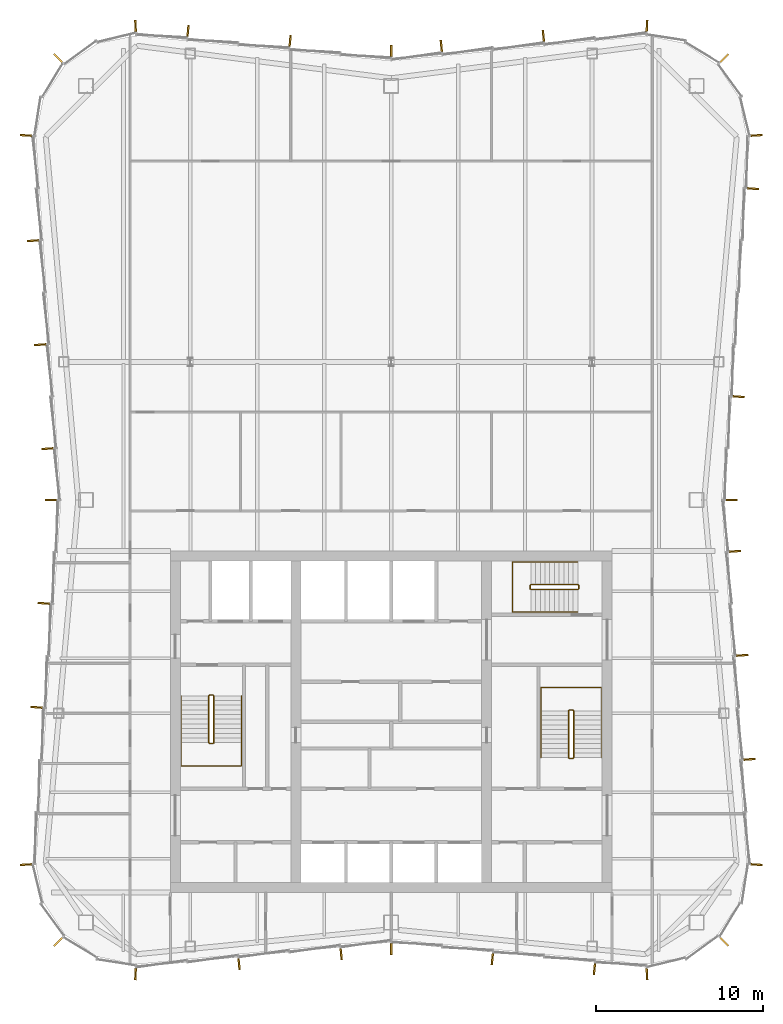
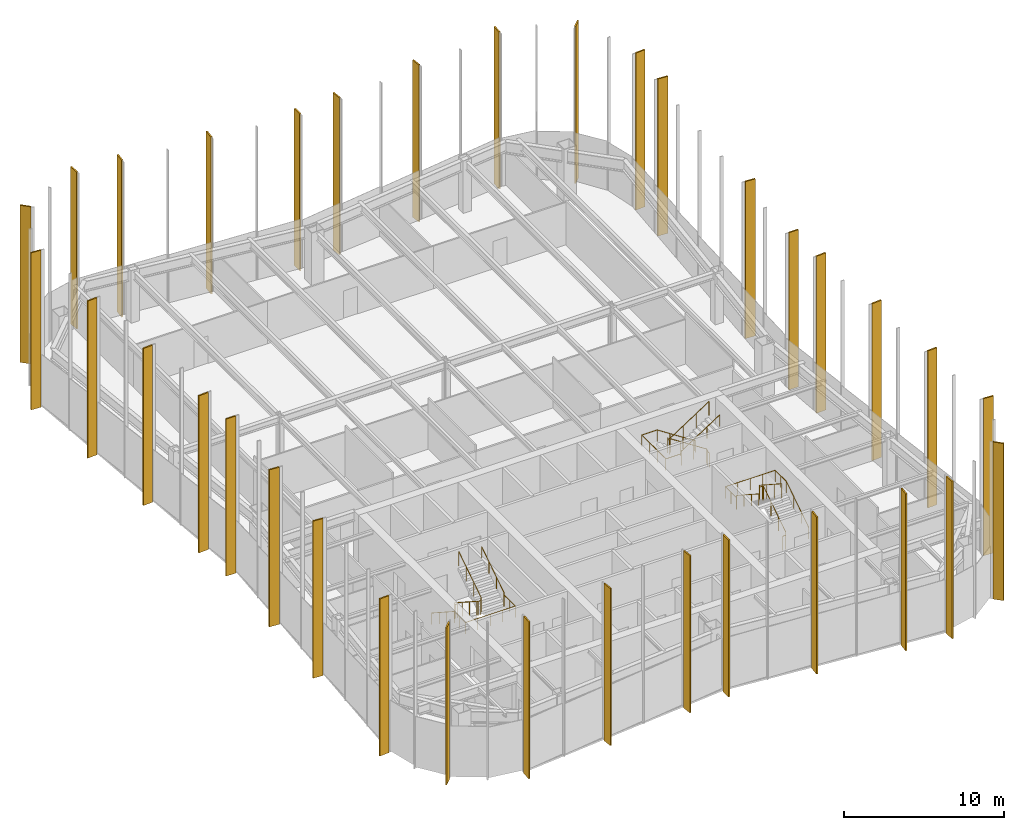
# One storey, part 13 of 13: 34 shading devices, 6 railings.
"""IFC4 building model written with IfcOpenShell, lengths in metres."""

from ifc_helpers import new_model, si_unit, direction, frame, origin, origin_2d, place, context, subcontext, project, spatial, rectangle, circle, extrude, material, layer, layer_set, type_object, element, save


model = new_model("IFC4")

# Units and contexts
model_context = context("Model", 3, precision=1e-05, world=origin(), true_north=direction((0.0, 1.0)))
body_context = subcontext(model_context, "Body", "Model", "MODEL_VIEW")
ifc_project = project(units=[si_unit("LENGTHUNIT", "METRE"), si_unit("AREAUNIT", "SQUARE_METRE"), si_unit("VOLUMEUNIT", "CUBIC_METRE"), si_unit("PLANEANGLEUNIT", "RADIAN"), si_unit("MASSUNIT", "GRAM", prefix="KILO")], contexts=[model_context])

# Site, building, storey
site_placement = place(None, origin())
site = spatial("IfcSite", under=ifc_project, at=site_placement, CompositionType="ELEMENT")
building_placement = place(site_placement, origin())
building = spatial("IfcBuilding", under=site, at=building_placement, Name="Verdant Reach Tower", CompositionType="ELEMENT")
storey_placement = place(building_placement, frame((0.0, 0.0, 318.0)))
storey = spatial("IfcBuildingStorey", under=building, at=storey_placement, Name="L73", CompositionType="ELEMENT", Elevation=318.0)

# Railings
ifc_material_1 = material(Name="Stainless steel", Category="steel")
railing_type_1 = type_object("IfcRailingType", Name="CO-GUARD", PredefinedType="GUARDRAIL", material=ifc_material_1)
railing_1_placement = place(storey_placement, frame((-10.64990234375, 29.60009765625, 0.0)))
element("IfcRailing", 1, at=railing_1_placement, inside=storey, type_object=railing_type_1, Name="L73 ST-1 stair guard 1", PredefinedType="GUARDRAIL", context=body_context, shape_type="SweptSolid", body=[
    extrude(circle(Radius=0.02392578125, at=origin_2d()), frame((0.0, 0.0, 1.076171875), z_axis=(-1.0, 0.0, 0.0), x_axis=(0.0, -1.0, 0.0)), (0.0, 0.0, 1.0), 0.2001953125),
    extrude(circle(Radius=0.02392578125, at=origin_2d()), frame((-0.2001953125, 0.0, 1.076171875), z_axis=(-0.25526617399, -0.256517478764, 0.932222056972), x_axis=(0.708833529934, -0.705375805398, 0.0)), (0.0, 0.0, 1.0), 0.195068359375),
    extrude(circle(Radius=0.02392578125, at=origin_2d()), frame((-0.25, -0.050048828125, 1.2578125), z_axis=(0.0, -0.838705829183, 0.544584733623), x_axis=(1.0, 0.0, 0.0)), (0.0, 0.0, 1.0), 3.338623046875),
    extrude(circle(Radius=0.02392578125, at=origin_2d()), frame((-0.25, -2.85009765625, 3.076171875), z_axis=(0.705375805398, -0.708833529934, 0.0), x_axis=(0.708833529934, 0.705375805398, 0.0)), (0.0, 0.0, 1.0), 0.070556640625),
    extrude(circle(Radius=0.02392578125, at=origin_2d()), frame((-0.2001953125, -2.900146484375, 3.076171875), z_axis=(1.0, 0.0, 0.0), x_axis=(0.0, 1.0, 0.0)), (0.0, 0.0, 1.0), 0.2001953125),
    extrude(circle(Radius=0.02392578125, at=origin_2d()), frame((0.0, -2.900146484375, 3.076171875), z_axis=(0.25526617399, 0.256517478764, 0.932222056972), x_axis=(-0.708833529934, 0.705375805398, 0.0)), (0.0, 0.0, 1.0), 0.195068359375),
    extrude(circle(Radius=0.02392578125, at=origin_2d()), frame((0.0498046875, -2.85009765625, 3.2578125), z_axis=(0.0, 0.838705829183, 0.544584733623), x_axis=(-1.0, 0.0, 0.0)), (0.0, 0.0, 1.0), 3.338623046875),
    extrude(circle(Radius=0.02099609375, at=origin_2d()), origin(), (0.0, 0.0, 1.0), 1.052001953125),
    extrude(circle(Radius=0.02099609375, at=origin_2d()), frame((-0.2001953125, 0.0, 0.0)), (0.0, 0.0, 1.0), 1.052001953125),
    extrude(circle(Radius=0.02099609375, at=origin_2d()), frame((-0.25, -0.050048828125, 0.181884765625)), (0.0, 0.0, 1.0), 1.052001953125),
    extrude(circle(Radius=0.02099609375, at=origin_2d()), frame((-0.25, -0.9833984375, 0.787841796875)), (0.0, 0.0, 1.0), 1.052001953125),
    extrude(circle(Radius=0.02099609375, at=origin_2d()), frame((-0.25, -1.916748046875, 1.39404296875)), (0.0, 0.0, 1.0), 1.052001953125),
    extrude(circle(Radius=0.02099609375, at=origin_2d()), frame((-0.25, -2.85009765625, 2.0)), (0.0, 0.0, 1.0), 1.052001953125),
    extrude(circle(Radius=0.02099609375, at=origin_2d()), frame((-0.2001953125, -2.900146484375, 2.0)), (0.0, 0.0, 1.0), 1.052001953125),
    extrude(circle(Radius=0.02099609375, at=origin_2d()), frame((0.0, -2.900146484375, 2.0)), (0.0, 0.0, 1.0), 1.052001953125),
    extrude(circle(Radius=0.02099609375, at=origin_2d()), frame((0.0498046875, -2.85009765625, 2.181884765625)), (0.0, 0.0, 1.0), 1.052001953125),
    extrude(circle(Radius=0.02099609375, at=origin_2d()), frame((0.0498046875, -1.916748046875, 2.787841796875)), (0.0, 0.0, 1.0), 1.052001953125),
    extrude(circle(Radius=0.02099609375, at=origin_2d()), frame((0.0498046875, -0.9833984375, 3.39404296875)), (0.0, 0.0, 1.0), 1.052001953125),
    extrude(circle(Radius=0.02099609375, at=origin_2d()), frame((0.0498046875, -0.050048828125, 4.0)), (0.0, 0.0, 1.0), 1.052001953125),
])
railing_2_placement = place(storey_placement, frame((10.64990234375, 25.800048828125, 0.0)))
element("IfcRailing", 2, at=railing_2_placement, inside=storey, type_object=railing_type_1, Name="L73 ST-2 stair guard 1", PredefinedType="GUARDRAIL", context=body_context, shape_type="SweptSolid", body=[
    extrude(circle(Radius=0.02392578125, at=origin_2d()), frame((0.0, 0.0, 1.076171875), z_axis=(1.0, 0.0, 0.0), x_axis=(0.0, 1.0, 0.0)), (0.0, 0.0, 1.0), 0.2001953125),
    extrude(circle(Radius=0.02392578125, at=origin_2d()), frame((0.2001953125, 0.0, 1.076171875), z_axis=(0.25526617399, 0.256517478764, 0.932222056972), x_axis=(-0.708833529934, 0.705375805398, 0.0)), (0.0, 0.0, 1.0), 0.195068359375),
    extrude(circle(Radius=0.02392578125, at=origin_2d()), frame((0.25, 0.050048828125, 1.2578125), z_axis=(0.0, 0.83868413941, 0.544618136222), x_axis=(-1.0, 0.0, 0.0)), (0.0, 0.0, 1.0), 3.33837890625),
    extrude(circle(Radius=0.02392578125, at=origin_2d()), frame((0.25, 2.849853515625, 3.076171875), z_axis=(-0.705375805398, 0.708833529934, 0.0), x_axis=(-0.708833529934, -0.705375805398, 0.0)), (0.0, 0.0, 1.0), 0.070556640625),
    extrude(circle(Radius=0.02392578125, at=origin_2d()), frame((0.2001953125, 2.89990234375, 3.076171875), z_axis=(-1.0, 0.0, 0.0), x_axis=(0.0, -1.0, 0.0)), (0.0, 0.0, 1.0), 0.2001953125),
    extrude(circle(Radius=0.02392578125, at=origin_2d()), frame((0.0, 2.89990234375, 3.076171875), z_axis=(-0.25526617399, -0.256517478764, 0.932222056972), x_axis=(0.708833529934, -0.705375805398, 0.0)), (0.0, 0.0, 1.0), 0.195068359375),
    extrude(circle(Radius=0.02392578125, at=origin_2d()), frame((-0.0498046875, 2.849853515625, 3.2578125), z_axis=(0.0, -0.83868413941, 0.544618136222), x_axis=(1.0, 0.0, 0.0)), (0.0, 0.0, 1.0), 3.33837890625),
    extrude(circle(Radius=0.02099609375, at=origin_2d()), origin(), (0.0, 0.0, 1.0), 1.052001953125),
    extrude(circle(Radius=0.02099609375, at=origin_2d()), frame((0.2001953125, 0.0, 0.0)), (0.0, 0.0, 1.0), 1.052001953125),
    extrude(circle(Radius=0.02099609375, at=origin_2d()), frame((0.25, 0.050048828125, 0.181884765625)), (0.0, 0.0, 1.0), 1.052001953125),
    extrude(circle(Radius=0.02099609375, at=origin_2d()), frame((0.25, 0.9833984375, 0.787841796875)), (0.0, 0.0, 1.0), 1.052001953125),
    extrude(circle(Radius=0.02099609375, at=origin_2d()), frame((0.25, 1.91650390625, 1.39404296875)), (0.0, 0.0, 1.0), 1.052001953125),
    extrude(circle(Radius=0.02099609375, at=origin_2d()), frame((0.25, 2.849853515625, 2.0)), (0.0, 0.0, 1.0), 1.052001953125),
    extrude(circle(Radius=0.02099609375, at=origin_2d()), frame((0.2001953125, 2.89990234375, 2.0)), (0.0, 0.0, 1.0), 1.052001953125),
    extrude(circle(Radius=0.02099609375, at=origin_2d()), frame((0.0, 2.89990234375, 2.0)), (0.0, 0.0, 1.0), 1.052001953125),
    extrude(circle(Radius=0.02099609375, at=origin_2d()), frame((-0.0498046875, 2.849853515625, 2.181884765625)), (0.0, 0.0, 1.0), 1.052001953125),
    extrude(circle(Radius=0.02099609375, at=origin_2d()), frame((-0.0498046875, 1.91650390625, 2.787841796875)), (0.0, 0.0, 1.0), 1.052001953125),
    extrude(circle(Radius=0.02099609375, at=origin_2d()), frame((-0.0498046875, 0.9833984375, 3.39404296875)), (0.0, 0.0, 1.0), 1.052001953125),
    extrude(circle(Radius=0.02099609375, at=origin_2d()), frame((-0.0498046875, 0.050048828125, 4.0)), (0.0, 0.0, 1.0), 1.052001953125),
])
railing_3_placement = place(storey_placement, frame((11.199951171875, 35.949951171875, 0.0)))
element("IfcRailing", 3, at=railing_3_placement, inside=storey, type_object=railing_type_1, Name="L73 ST-3 stair guard 1", PredefinedType="GUARDRAIL", context=body_context, shape_type="SweptSolid", body=[
    extrude(circle(Radius=0.02392578125, at=origin_2d()), frame((0.0, 0.0, 1.076171875), z_axis=(0.0, 1.0, 0.0), x_axis=(-1.0, 0.0, 0.0)), (0.0, 0.0, 1.0), 0.199951171875),
    extrude(circle(Radius=0.02392578125, at=origin_2d()), frame((0.0, 0.199951171875, 1.076171875), z_axis=(-0.256435381639, 0.256435381639, 0.931923704005), x_axis=(-0.707106781187, -0.707106781187, 0.0)), (0.0, 0.0, 1.0), 0.195068359375),
    extrude(circle(Radius=0.02392578125, at=origin_2d()), frame((-0.050048828125, 0.25, 1.2578125), z_axis=(-0.83868413941, 0.0, 0.544618136222), x_axis=(0.0, -1.0, 0.0)), (0.0, 0.0, 1.0), 3.33837890625),
    extrude(circle(Radius=0.02392578125, at=origin_2d()), frame((-2.849853515625, 0.25, 3.076171875), z_axis=(-0.707106781187, -0.707106781187, 0.0), x_axis=(0.707106781187, -0.707106781187, 0.0)), (0.0, 0.0, 1.0), 0.07080078125),
    extrude(circle(Radius=0.02392578125, at=origin_2d()), frame((-2.89990234375, 0.199951171875, 3.076171875), z_axis=(0.0, -1.0, 0.0), x_axis=(1.0, 0.0, 0.0)), (0.0, 0.0, 1.0), 0.199951171875),
    extrude(circle(Radius=0.02392578125, at=origin_2d()), frame((-2.89990234375, 0.0, 3.076171875), z_axis=(0.256435381639, -0.256435381639, 0.931923704005), x_axis=(0.707106781187, 0.707106781187, 0.0)), (0.0, 0.0, 1.0), 0.195068359375),
    extrude(circle(Radius=0.02392578125, at=origin_2d()), frame((-2.849853515625, -0.050048828125, 3.2578125), z_axis=(0.83868413941, 0.0, 0.544618136222), x_axis=(0.0, 1.0, 0.0)), (0.0, 0.0, 1.0), 3.33837890625),
    extrude(circle(Radius=0.02099609375, at=origin_2d()), origin(), (0.0, 0.0, 1.0), 1.052001953125),
    extrude(circle(Radius=0.02099609375, at=origin_2d()), frame((0.0, 0.199951171875, 0.0)), (0.0, 0.0, 1.0), 1.052001953125),
    extrude(circle(Radius=0.02099609375, at=origin_2d()), frame((-0.050048828125, 0.25, 0.181884765625)), (0.0, 0.0, 1.0), 1.052001953125),
    extrude(circle(Radius=0.02099609375, at=origin_2d()), frame((-0.9833984375, 0.25, 0.787841796875)), (0.0, 0.0, 1.0), 1.052001953125),
    extrude(circle(Radius=0.02099609375, at=origin_2d()), frame((-1.91650390625, 0.25, 1.39404296875)), (0.0, 0.0, 1.0), 1.052001953125),
    extrude(circle(Radius=0.02099609375, at=origin_2d()), frame((-2.849853515625, 0.25, 2.0)), (0.0, 0.0, 1.0), 1.052001953125),
    extrude(circle(Radius=0.02099609375, at=origin_2d()), frame((-2.89990234375, 0.199951171875, 2.0)), (0.0, 0.0, 1.0), 1.052001953125),
    extrude(circle(Radius=0.02099609375, at=origin_2d()), frame((-2.89990234375, 0.0, 2.0)), (0.0, 0.0, 1.0), 1.052001953125),
    extrude(circle(Radius=0.02099609375, at=origin_2d()), frame((-2.849853515625, -0.050048828125, 2.181884765625)), (0.0, 0.0, 1.0), 1.052001953125),
    extrude(circle(Radius=0.02099609375, at=origin_2d()), frame((-1.91650390625, -0.050048828125, 2.787841796875)), (0.0, 0.0, 1.0), 1.052001953125),
    extrude(circle(Radius=0.02099609375, at=origin_2d()), frame((-0.9833984375, -0.050048828125, 3.39404296875)), (0.0, 0.0, 1.0), 1.052001953125),
    extrude(circle(Radius=0.02099609375, at=origin_2d()), frame((-0.050048828125, -0.050048828125, 4.0)), (0.0, 0.0, 1.0), 1.052001953125),
])
railing_type_2 = type_object("IfcRailingType", Name="CO-HANDRAIL", PredefinedType="HANDRAIL", material=ifc_material_1)
railing_4_placement = place(storey_placement, frame((-12.550048828125, 29.550048828125, 0.181884765625)))
element("IfcRailing", 4, at=railing_4_placement, inside=storey, type_object=railing_type_2, Name="L73 ST-1 stair handrail 1", PredefinedType="HANDRAIL", context=body_context, shape_type="SweptSolid", body=[
    extrude(circle(Radius=0.02392578125, at=origin_2d()), frame((0.0, 0.0, 0.8759765625), z_axis=(0.0, -0.838705829183, 0.544584733623), x_axis=(1.0, 0.0, 0.0)), (0.0, 0.0, 1.0), 3.338623046875),
    extrude(circle(Radius=0.02392578125, at=origin_2d()), frame((0.0, -2.800048828125, 2.69384765625), z_axis=(0.0, -1.0, 0.0), x_axis=(1.0, 0.0, 0.0)), (0.0, 0.0, 1.0), 1.39990234375),
    extrude(circle(Radius=0.02392578125, at=origin_2d()), frame((0.0, -4.199951171875, 2.69384765625), z_axis=(1.0, 0.0, 0.0), x_axis=(0.0, 1.0, 0.0)), (0.0, 0.0, 1.0), 3.60009765625),
    extrude(circle(Radius=0.02392578125, at=origin_2d()), frame((3.60009765625, -4.199951171875, 2.69384765625), z_axis=(0.0, 1.0, 0.0), x_axis=(-1.0, 0.0, 0.0)), (0.0, 0.0, 1.0), 1.39990234375),
    extrude(circle(Radius=0.02392578125, at=origin_2d()), frame((3.60009765625, -2.800048828125, 2.69384765625), z_axis=(0.0, 0.0, 1.0), x_axis=(1.0, 0.0, 0.0)), (0.0, 0.0, 1.0), 0.181884765625),
    extrude(circle(Radius=0.02392578125, at=origin_2d()), frame((3.60009765625, -2.800048828125, 2.8759765625), z_axis=(0.0, 0.838705829183, 0.544584733623), x_axis=(-1.0, 0.0, 0.0)), (0.0, 0.0, 1.0), 3.338623046875),
    extrude(circle(Radius=0.02099609375, at=origin_2d()), origin(), (0.0, 0.0, 1.0), 0.851806640625),
    extrude(circle(Radius=0.02099609375, at=origin_2d()), frame((0.0, -0.933349609375, 0.60595703125)), (0.0, 0.0, 1.0), 0.851806640625),
    extrude(circle(Radius=0.02099609375, at=origin_2d()), frame((0.0, -1.86669921875, 1.212158203125)), (0.0, 0.0, 1.0), 0.851806640625),
    extrude(circle(Radius=0.02099609375, at=origin_2d()), frame((0.0, -2.800048828125, 1.818115234375)), (0.0, 0.0, 1.0), 0.851806640625),
    extrude(circle(Radius=0.02099609375, at=origin_2d()), frame((0.0, -3.5, 1.818115234375)), (0.0, 0.0, 1.0), 0.851806640625),
    extrude(circle(Radius=0.02099609375, at=origin_2d()), frame((0.0, -4.199951171875, 1.818115234375)), (0.0, 0.0, 1.0), 0.851806640625),
    extrude(circle(Radius=0.02099609375, at=origin_2d()), frame((0.89990234375, -4.199951171875, 1.818115234375)), (0.0, 0.0, 1.0), 0.851806640625),
    extrude(circle(Radius=0.02099609375, at=origin_2d()), frame((1.800048828125, -4.199951171875, 1.818115234375)), (0.0, 0.0, 1.0), 0.851806640625),
    extrude(circle(Radius=0.02099609375, at=origin_2d()), frame((2.7001953125, -4.199951171875, 1.818115234375)), (0.0, 0.0, 1.0), 0.851806640625),
    extrude(circle(Radius=0.02099609375, at=origin_2d()), frame((3.60009765625, -4.199951171875, 1.818115234375)), (0.0, 0.0, 1.0), 0.851806640625),
    extrude(circle(Radius=0.02099609375, at=origin_2d()), frame((3.60009765625, -3.5, 1.818115234375)), (0.0, 0.0, 1.0), 0.851806640625),
    extrude(circle(Radius=0.02099609375, at=origin_2d()), frame((3.60009765625, -2.800048828125, 1.818115234375)), (0.0, 0.0, 1.0), 0.851806640625),
    extrude(circle(Radius=0.02099609375, at=origin_2d()), frame((3.60009765625, -2.800048828125, 2.0)), (0.0, 0.0, 1.0), 0.851806640625),
    extrude(circle(Radius=0.02099609375, at=origin_2d()), frame((3.60009765625, -1.86669921875, 2.60595703125)), (0.0, 0.0, 1.0), 0.851806640625),
    extrude(circle(Radius=0.02099609375, at=origin_2d()), frame((3.60009765625, -0.933349609375, 3.212158203125)), (0.0, 0.0, 1.0), 0.851806640625),
    extrude(circle(Radius=0.02099609375, at=origin_2d()), frame((3.60009765625, 0.0, 3.818115234375)), (0.0, 0.0, 1.0), 0.851806640625),
])
railing_5_placement = place(storey_placement, frame((12.550048828125, 25.85009765625, 0.181884765625)))
element("IfcRailing", 5, at=railing_5_placement, inside=storey, type_object=railing_type_2, Name="L73 ST-2 stair handrail 1", PredefinedType="HANDRAIL", context=body_context, shape_type="SweptSolid", body=[
    extrude(circle(Radius=0.02392578125, at=origin_2d()), frame((0.0, 0.0, 0.8759765625), z_axis=(0.0, 0.83868413941, 0.544618136222), x_axis=(-1.0, 0.0, 0.0)), (0.0, 0.0, 1.0), 3.33837890625),
    extrude(circle(Radius=0.02392578125, at=origin_2d()), frame((0.0, 2.7998046875, 2.69384765625), z_axis=(0.0, 1.0, 0.0), x_axis=(-1.0, 0.0, 0.0)), (0.0, 0.0, 1.0), 1.400146484375),
    extrude(circle(Radius=0.02392578125, at=origin_2d()), frame((0.0, 4.199951171875, 2.69384765625), z_axis=(-1.0, 0.0, 0.0), x_axis=(0.0, -1.0, 0.0)), (0.0, 0.0, 1.0), 3.60009765625),
    extrude(circle(Radius=0.02392578125, at=origin_2d()), frame((-3.60009765625, 4.199951171875, 2.69384765625), z_axis=(0.0, -1.0, 0.0), x_axis=(1.0, 0.0, 0.0)), (0.0, 0.0, 1.0), 1.400146484375),
    extrude(circle(Radius=0.02392578125, at=origin_2d()), frame((-3.60009765625, 2.7998046875, 2.69384765625), z_axis=(0.0, 0.0, 1.0), x_axis=(1.0, 0.0, 0.0)), (0.0, 0.0, 1.0), 0.181884765625),
    extrude(circle(Radius=0.02392578125, at=origin_2d()), frame((-3.60009765625, 2.7998046875, 2.8759765625), z_axis=(0.0, -0.83868413941, 0.544618136222), x_axis=(1.0, 0.0, 0.0)), (0.0, 0.0, 1.0), 3.33837890625),
    extrude(circle(Radius=0.02099609375, at=origin_2d()), origin(), (0.0, 0.0, 1.0), 0.851806640625),
    extrude(circle(Radius=0.02099609375, at=origin_2d()), frame((0.0, 0.933349609375, 0.60595703125)), (0.0, 0.0, 1.0), 0.851806640625),
    extrude(circle(Radius=0.02099609375, at=origin_2d()), frame((0.0, 1.866455078125, 1.212158203125)), (0.0, 0.0, 1.0), 0.851806640625),
    extrude(circle(Radius=0.02099609375, at=origin_2d()), frame((0.0, 2.7998046875, 1.818115234375)), (0.0, 0.0, 1.0), 0.851806640625),
    extrude(circle(Radius=0.02099609375, at=origin_2d()), frame((0.0, 3.5, 1.818115234375)), (0.0, 0.0, 1.0), 0.851806640625),
    extrude(circle(Radius=0.02099609375, at=origin_2d()), frame((0.0, 4.199951171875, 1.818115234375)), (0.0, 0.0, 1.0), 0.851806640625),
    extrude(circle(Radius=0.02099609375, at=origin_2d()), frame((-0.89990234375, 4.199951171875, 1.818115234375)), (0.0, 0.0, 1.0), 0.851806640625),
    extrude(circle(Radius=0.02099609375, at=origin_2d()), frame((-1.800048828125, 4.199951171875, 1.818115234375)), (0.0, 0.0, 1.0), 0.851806640625),
    extrude(circle(Radius=0.02099609375, at=origin_2d()), frame((-2.7001953125, 4.199951171875, 1.818115234375)), (0.0, 0.0, 1.0), 0.851806640625),
    extrude(circle(Radius=0.02099609375, at=origin_2d()), frame((-3.60009765625, 4.199951171875, 1.818115234375)), (0.0, 0.0, 1.0), 0.851806640625),
    extrude(circle(Radius=0.02099609375, at=origin_2d()), frame((-3.60009765625, 3.5, 1.818115234375)), (0.0, 0.0, 1.0), 0.851806640625),
    extrude(circle(Radius=0.02099609375, at=origin_2d()), frame((-3.60009765625, 2.7998046875, 1.818115234375)), (0.0, 0.0, 1.0), 0.851806640625),
    extrude(circle(Radius=0.02099609375, at=origin_2d()), frame((-3.60009765625, 2.7998046875, 2.0)), (0.0, 0.0, 1.0), 0.851806640625),
    extrude(circle(Radius=0.02099609375, at=origin_2d()), frame((-3.60009765625, 1.866455078125, 2.60595703125)), (0.0, 0.0, 1.0), 0.851806640625),
    extrude(circle(Radius=0.02099609375, at=origin_2d()), frame((-3.60009765625, 0.933349609375, 3.212158203125)), (0.0, 0.0, 1.0), 0.851806640625),
    extrude(circle(Radius=0.02099609375, at=origin_2d()), frame((-3.60009765625, 0.0, 3.818115234375)), (0.0, 0.0, 1.0), 0.851806640625),
])
railing_6_placement = place(storey_placement, frame((11.14990234375, 37.550048828125, 0.181884765625)))
element("IfcRailing", 6, at=railing_6_placement, inside=storey, type_object=railing_type_2, Name="L73 ST-3 stair handrail 1", PredefinedType="HANDRAIL", context=body_context, shape_type="SweptSolid", body=[
    extrude(circle(Radius=0.02392578125, at=origin_2d()), frame((0.0, 0.0, 0.8759765625), z_axis=(-0.83868413941, 0.0, 0.544618136222), x_axis=(0.0, -1.0, 0.0)), (0.0, 0.0, 1.0), 3.33837890625),
    extrude(circle(Radius=0.02392578125, at=origin_2d()), frame((-2.7998046875, 0.0, 2.69384765625), z_axis=(-1.0, 0.0, 0.0), x_axis=(0.0, -1.0, 0.0)), (0.0, 0.0, 1.0), 1.10009765625),
    extrude(circle(Radius=0.02392578125, at=origin_2d()), frame((-3.89990234375, 0.0, 2.69384765625), z_axis=(0.0, -1.0, 0.0), x_axis=(1.0, 0.0, 0.0)), (0.0, 0.0, 1.0), 3.0),
    extrude(circle(Radius=0.02392578125, at=origin_2d()), frame((-3.89990234375, -3.0, 2.69384765625), z_axis=(1.0, 0.0, 0.0), x_axis=(0.0, 1.0, 0.0)), (0.0, 0.0, 1.0), 1.10009765625),
    extrude(circle(Radius=0.02392578125, at=origin_2d()), frame((-2.7998046875, -3.0, 2.69384765625), z_axis=(0.0, 0.0, 1.0), x_axis=(1.0, 0.0, 0.0)), (0.0, 0.0, 1.0), 0.181884765625),
    extrude(circle(Radius=0.02392578125, at=origin_2d()), frame((-2.7998046875, -3.0, 2.8759765625), z_axis=(0.83868413941, 0.0, 0.544618136222), x_axis=(0.0, 1.0, 0.0)), (0.0, 0.0, 1.0), 3.33837890625),
    extrude(circle(Radius=0.02099609375, at=origin_2d()), origin(), (0.0, 0.0, 1.0), 0.851806640625),
    extrude(circle(Radius=0.02099609375, at=origin_2d()), frame((-0.933349609375, 0.0, 0.60595703125)), (0.0, 0.0, 1.0), 0.851806640625),
    extrude(circle(Radius=0.02099609375, at=origin_2d()), frame((-1.866455078125, 0.0, 1.212158203125)), (0.0, 0.0, 1.0), 0.851806640625),
    extrude(circle(Radius=0.02099609375, at=origin_2d()), frame((-2.7998046875, 0.0, 1.818115234375)), (0.0, 0.0, 1.0), 0.851806640625),
    extrude(circle(Radius=0.02099609375, at=origin_2d()), frame((-3.89990234375, 0.0, 1.818115234375)), (0.0, 0.0, 1.0), 0.851806640625),
    extrude(circle(Radius=0.02099609375, at=origin_2d()), frame((-3.89990234375, -1.0, 1.818115234375)), (0.0, 0.0, 1.0), 0.851806640625),
    extrude(circle(Radius=0.02099609375, at=origin_2d()), frame((-3.89990234375, -2.0, 1.818115234375)), (0.0, 0.0, 1.0), 0.851806640625),
    extrude(circle(Radius=0.02099609375, at=origin_2d()), frame((-3.89990234375, -3.0, 1.818115234375)), (0.0, 0.0, 1.0), 0.851806640625),
    extrude(circle(Radius=0.02099609375, at=origin_2d()), frame((-2.7998046875, -3.0, 1.818115234375)), (0.0, 0.0, 1.0), 0.851806640625),
    extrude(circle(Radius=0.02099609375, at=origin_2d()), frame((-2.7998046875, -3.0, 2.0)), (0.0, 0.0, 1.0), 0.851806640625),
    extrude(circle(Radius=0.02099609375, at=origin_2d()), frame((-1.866455078125, -3.0, 2.60595703125)), (0.0, 0.0, 1.0), 0.851806640625),
    extrude(circle(Radius=0.02099609375, at=origin_2d()), frame((-0.933349609375, -3.0, 3.212158203125)), (0.0, 0.0, 1.0), 0.851806640625),
    extrude(circle(Radius=0.02099609375, at=origin_2d()), frame((0.0, -3.0, 3.818115234375)), (0.0, 0.0, 1.0), 0.851806640625),
])

# Shading devices
ifc_material_2 = material(Name="Bronze fin, champagne", Category="aluminium")
ifc_layer_1 = layer(ifc_material_2, 0.10009765625)
ifc_layer_set_1 = layer_set([ifc_layer_1], Name="EN-FIN CHAMPAGNE")
shading_device_type_1 = type_object("IfcShadingDeviceType", Name="EN-FIN CHAMPAGNE", PredefinedType="USERDEFINED", material=ifc_layer_set_1)
for number, where, z_axis, x_axis, name in (
    (7, (15.278564453125, 12.920654296875, -0.35009765625), (0.0, 0.0, 1.0), (0.998792510626, 0.049127596288, 0.0), "Fin south-east corner 1, L73"),
    (8, (20.54296875, 38.182861328125, -0.35009765625), (0.0, 0.0, 1.0), (-0.068802091615, 0.997630328423, 0.0), "Fin east face part 1 7, L73"),
    (9, (20.330078125, 41.25, -0.35009765625), (0.0, 0.0, 1.0), (0.0, 1.0, 0.0), "Fin east face part 2 1, L73"),
    (10, (2.9931640625, 68.377197265625, -0.35009765625), (0.0, 0.0, 1.0), (-0.995197410875, -0.09788826992, 0.0), "Fin north face part 1 5, L73"),
    (11, (-21.400146484375, 56.745849609375, -0.35009765625), (0.0, 0.0, 1.0), (0.068802091615, -0.997630328423, 0.0), "Fin west face part 1 3, L73"),
    (12, (-21.185791015625, 28.861328125, -0.35009765625), (0.0, 0.0, 1.0), (-0.068802091615, -0.997630328423, 0.0), "Fin west face part 2 5, L73"),
    (13, (-19.90283203125, 14.84716796875, -0.35009765625), (0.0, 0.0, 1.0), (0.707106781187, -0.707106781187, 0.0), "Fin south-west corner 3, L73"),
    (14, (-15.278564453125, 12.920654296875, -0.35009765625), (0.0, 0.0, 1.0), (0.998792510626, -0.049127596288, 0.0), "Fin south face part 1 1, L73"),
    (15, (6.043212890625, 13.82275390625, -0.35009765625), (0.0, 0.0, 1.0), (0.995197410875, -0.09788826992, 0.0), "Fin south face part 2 3, L73"),
):
    element("IfcShadingDevice", number, at=place(storey_placement, frame(where, z_axis=z_axis, x_axis=x_axis)), inside=storey, type_object=shading_device_type_1, Name=name, ObjectType="FIN", PredefinedType="USERDEFINED", context=body_context, shape_type="SweptSolid", body=[
        extrude(rectangle(XDim=0.10009765625, YDim=0.699951171875, at=origin_2d()), origin(), (0.0, 0.0, 1.0), 12.0),
    ])
ifc_material_3 = material(Name="Bronze fin, copper", Category="aluminium")
ifc_layer_2 = layer(ifc_material_3, 0.10009765625)
ifc_layer_set_2 = layer_set([ifc_layer_2], Name="EN-FIN COPPER")
shading_device_type_2 = type_object("IfcShadingDeviceType", Name="EN-FIN COPPER", PredefinedType="USERDEFINED", material=ifc_layer_set_2)
for number, where, z_axis, x_axis, name in (
    (16, (19.90283203125, 14.84716796875, -0.35009765625), (0.0, 0.0, 1.0), (0.707106781187, 0.707106781187, 0.0), "Fin south-east corner 3, L73"),
    (17, (21.828857421875, 19.463134765625, -0.35009765625), (0.0, 0.0, 1.0), (0.063698618332, 0.997969180898, 0.0), "Fin east face part 1 1, L73"),
    (18, (21.400146484375, 25.754150390625, -0.35009765625), (0.0, 0.0, 1.0), (-0.068802091615, 0.997630328423, 0.0), "Fin east face part 1 3, L73"),
    (19, (20.757080078125, 47.42431640625, -0.35009765625), (0.0, 0.0, 1.0), (0.068802091615, 0.997630328423, 0.0), "Fin east face part 2 3, L73"),
    (20, (21.828857421875, 63.036865234375, -0.35009765625), (0.0, 0.0, 1.0), (-0.063698618332, 0.997969180898, 0.0), "Fin north-east corner 1, L73"),
    (21, (19.90283203125, 67.65283203125, -0.35009765625), (0.0, 0.0, 1.0), (-0.707106781187, 0.707106781187, 0.0), "Fin north-east corner 3, L73"),
    (22, (15.278564453125, 69.579345703125, -0.35009765625), (0.0, 0.0, 1.0), (-0.998792510626, 0.049127596288, 0.0), "Fin north face part 1 1, L73"),
    (23, (0.0, 68.080078125, -0.35009765625), (0.0, 0.0, 1.0), (-1.0, 0.0, 0.0), "Fin north face part 2 1, L73"),
    (24, (-6.043212890625, 68.67724609375, -0.35009765625), (0.0, 0.0, 1.0), (-0.995197410875, 0.09788826992, 0.0), "Fin north face part 2 3, L73"),
    (25, (-15.278564453125, 69.579345703125, -0.35009765625), (0.0, 0.0, 1.0), (-0.998792510626, -0.049127596288, 0.0), "Fin north-west corner 1, L73"),
    (26, (-20.971435546875, 50.531494140625, -0.35009765625), (0.0, 0.0, 1.0), (0.068802091615, -0.997630328423, 0.0), "Fin west face part 1 5, L73"),
    (27, (-20.54296875, 44.317138671875, -0.35009765625), (0.0, 0.0, 1.0), (0.068802091615, -0.997630328423, 0.0), "Fin west face part 1 7, L73"),
    (28, (-20.330078125, 41.25, -0.35009765625), (0.0, 0.0, 1.0), (0.0, -1.0, 0.0), "Fin west face part 2 1, L73"),
    (29, (-9.09326171875, 13.522705078125, -0.35009765625), (0.0, 0.0, 1.0), (0.995197410875, 0.09788826992, 0.0), "Fin south face part 1 3, L73"),
    (30, (-2.9931640625, 14.122802734375, -0.35009765625), (0.0, 0.0, 1.0), (0.995197410875, 0.09788826992, 0.0), "Fin south face part 1 5, L73"),
    (31, (12.143310546875, 13.222900390625, -0.35009765625), (0.0, 0.0, 1.0), (0.995197410875, -0.09788826992, 0.0), "Fin south face part 2 5, L73"),
):
    element("IfcShadingDevice", number, at=place(storey_placement, frame(where, z_axis=z_axis, x_axis=x_axis)), inside=storey, type_object=shading_device_type_2, Name=name, ObjectType="FIN", PredefinedType="USERDEFINED", context=body_context, shape_type="SweptSolid", body=[
        extrude(rectangle(XDim=0.10009765625, YDim=0.699951171875, at=origin_2d()), origin(), (0.0, 0.0, 1.0), 12.0),
    ])
ifc_material_4 = material(Name="Bronze fin, dark bronze", Category="aluminium")
ifc_layer_3 = layer(ifc_material_4, 0.10009765625)
ifc_layer_set_3 = layer_set([ifc_layer_3], Name="EN-FIN DARK")
shading_device_type_3 = type_object("IfcShadingDeviceType", Name="EN-FIN DARK", PredefinedType="USERDEFINED", material=ifc_layer_set_3)
for number, where, z_axis, x_axis, name in (
    (32, (20.971435546875, 31.968505859375, -0.35009765625), (0.0, 0.0, 1.0), (-0.068802091615, 0.997630328423, 0.0), "Fin east face part 1 5, L73"),
    (33, (21.6142578125, 59.85302734375, -0.35009765625), (0.0, 0.0, 1.0), (0.068802091615, 0.997630328423, 0.0), "Fin east face part 2 7, L73"),
    (34, (9.09326171875, 68.977294921875, -0.35009765625), (0.0, 0.0, 1.0), (-0.995197410875, -0.09788826992, 0.0), "Fin north face part 1 3, L73"),
    (35, (-12.143310546875, 69.277099609375, -0.35009765625), (0.0, 0.0, 1.0), (-0.995197410875, 0.09788826992, 0.0), "Fin north face part 2 5, L73"),
    (36, (-19.90283203125, 67.65283203125, -0.35009765625), (0.0, 0.0, 1.0), (-0.707106781187, -0.707106781187, 0.0), "Fin north-west corner 3, L73"),
    (37, (-21.828857421875, 63.036865234375, -0.35009765625), (0.0, 0.0, 1.0), (-0.063698618332, -0.997969180898, 0.0), "Fin west face part 1 1, L73"),
    (38, (-20.757080078125, 35.07568359375, -0.35009765625), (0.0, 0.0, 1.0), (-0.068802091615, -0.997630328423, 0.0), "Fin west face part 2 3, L73"),
    (39, (-21.828857421875, 19.463134765625, -0.35009765625), (0.0, 0.0, 1.0), (0.063698618332, -0.997969180898, 0.0), "Fin south-west corner 1, L73"),
    (40, (0.0, 14.419921875, -0.35009765625), (0.0, 0.0, 1.0), (1.0, 0.0, 0.0), "Fin south face part 2 1, L73"),
):
    element("IfcShadingDevice", number, at=place(storey_placement, frame(where, z_axis=z_axis, x_axis=x_axis)), inside=storey, type_object=shading_device_type_3, Name=name, ObjectType="FIN", PredefinedType="USERDEFINED", context=body_context, shape_type="SweptSolid", body=[
        extrude(rectangle(XDim=0.10009765625, YDim=0.699951171875, at=origin_2d()), origin(), (0.0, 0.0, 1.0), 12.0),
    ])

save(model, "model.ifc")
